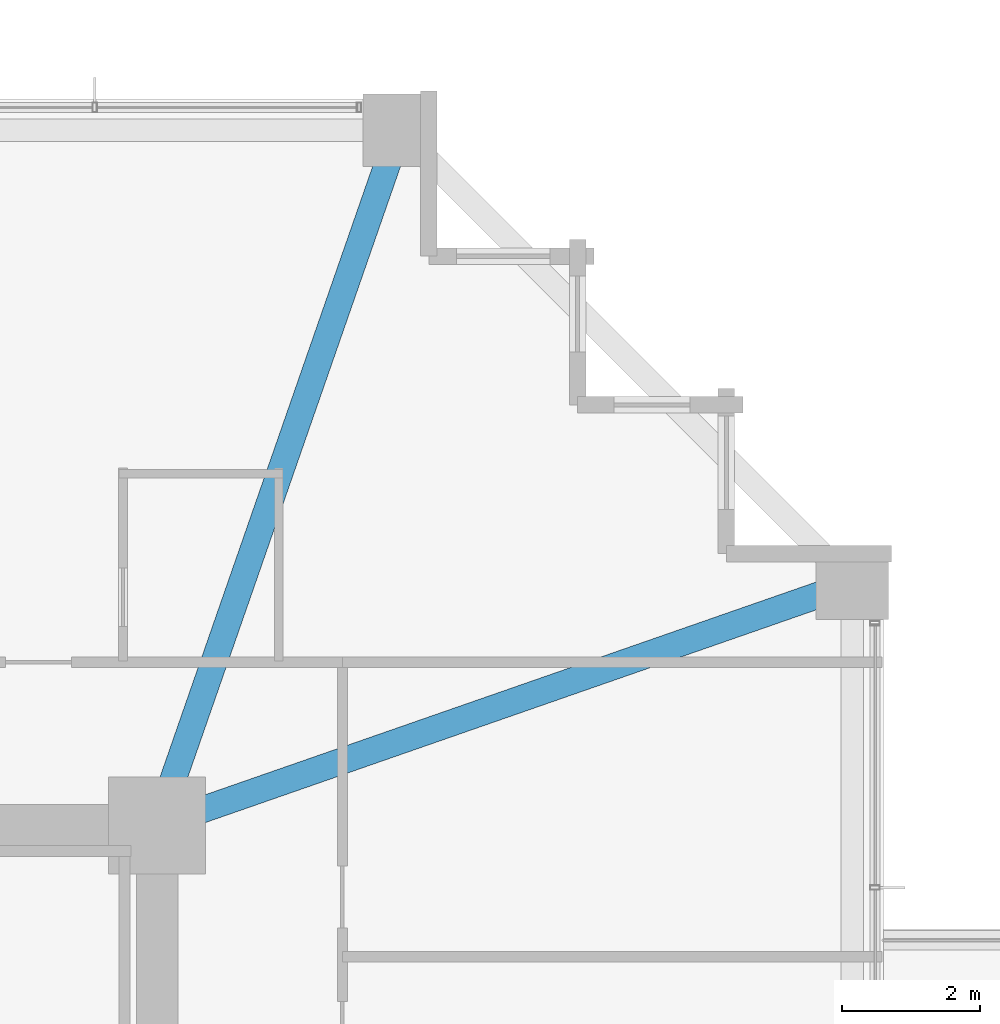
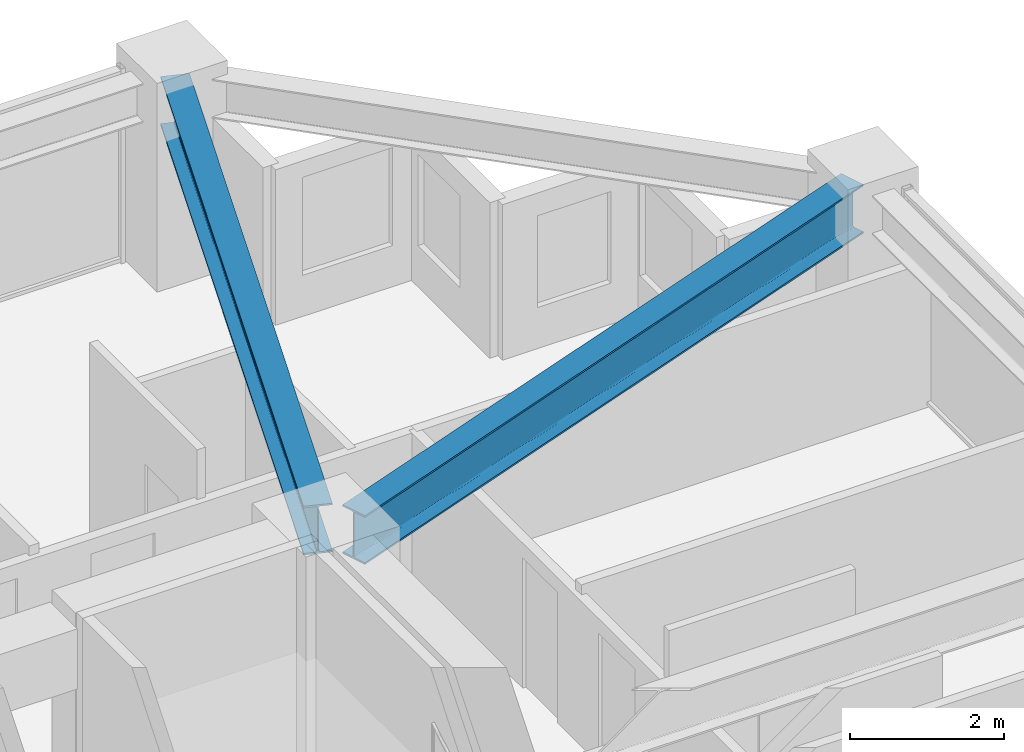
# One storey, part 22 of 37: 2 beams.
"""IFC4 building model written with IfcOpenShell, lengths in metres."""

from ifc_helpers import new_model, si_unit, direction, frame, origin, origin_2d, place, context, subcontext, project, spatial, i_section, extrude, material, material_profile, profile_set, type_object, element, save


model = new_model("IFC4")

# Units and contexts
model_context = context("Model", 3, precision=1e-05, world=origin(), true_north=direction((0.0, 1.0)))
body_context = subcontext(model_context, "Body", "Model", "MODEL_VIEW")
ifc_project = project(units=[si_unit("LENGTHUNIT", "METRE"), si_unit("AREAUNIT", "SQUARE_METRE"), si_unit("VOLUMEUNIT", "CUBIC_METRE"), si_unit("PLANEANGLEUNIT", "RADIAN"), si_unit("MASSUNIT", "GRAM", prefix="KILO")], contexts=[model_context])

# Site, building, storey
site_placement = place(None, origin())
site = spatial("IfcSite", under=ifc_project, at=site_placement, CompositionType="ELEMENT")
building_placement = place(site_placement, origin())
building = spatial("IfcBuilding", under=site, at=building_placement, Name="Kolvaren Belvedere", CompositionType="ELEMENT")
storey_placement = place(building_placement, frame((0.0, 0.0, 75.5)))
storey = spatial("IfcBuildingStorey", under=building, at=storey_placement, Name="L21", CompositionType="ELEMENT", Elevation=75.5)

# Beams
ifc_material = material(Name="Structural steel ASTM A992 Grade 50", Category="steel")
ifc_material_profile = material_profile(ifc_material, i_section(OverallWidth=0.381103515625, OverallDepth=0.77294921875, WebThickness=0.0166015625, FlangeThickness=0.027099609375, FilletRadius=0.02392578125, at=origin_2d()), Name="W30X173")
ifc_profile_set = profile_set([ifc_material_profile], Name="Structural steel ASTM A992 Grade 50")
beam_type = type_object("IfcBeamType", Name="BM-GIRD-W30X173", PredefinedType="BEAM", material=ifc_profile_set)
for number, where, z_axis, x_axis, name in (
    (1, (10.080810546875, 10.41943359375, 2.693603515625), (0.328880894453, 0.944371408538, 0.0), (-0.944371408538, 0.328880894453, 0.0), "L21 Corner Core-to-Perimeter Girder CC3-N4"),
    (2, (10.41943359375, 10.080810546875, 2.693603515625), (0.944371408538, 0.328880894453, 0.0), (-0.328880894453, 0.944371408538, 0.0), "L21 Corner Core-to-Perimeter Girder CC3-E4"),
):
    element("IfcBeam", number, at=place(storey_placement, frame(where, z_axis=z_axis, x_axis=x_axis)), inside=storey, type_object=beam_type, Name=name, PredefinedType="BEAM", context=body_context, shape_type="SweptSolid", body=[
        extrude(i_section(OverallWidth=0.381103515625, OverallDepth=0.77294921875, WebThickness=0.0166015625, FlangeThickness=0.027099609375, FilletRadius=0.02392578125, at=origin_2d()), origin(), (0.0, 0.0, 1.0), 9.882080078125),
    ])

save(model, "model.ifc")
